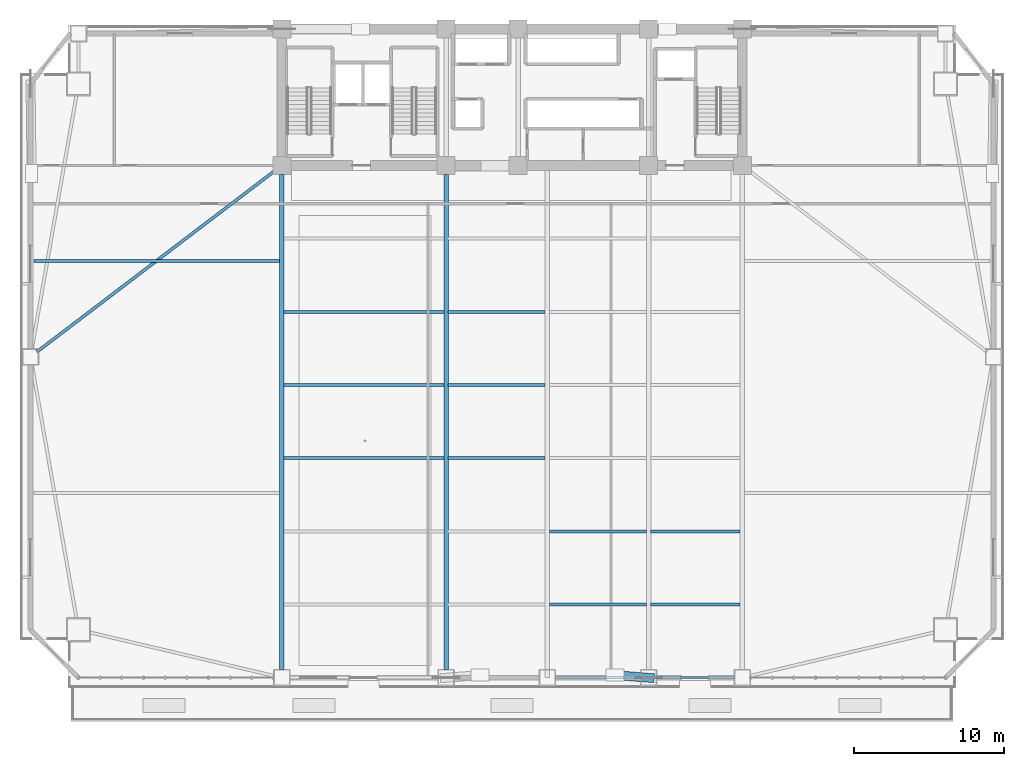
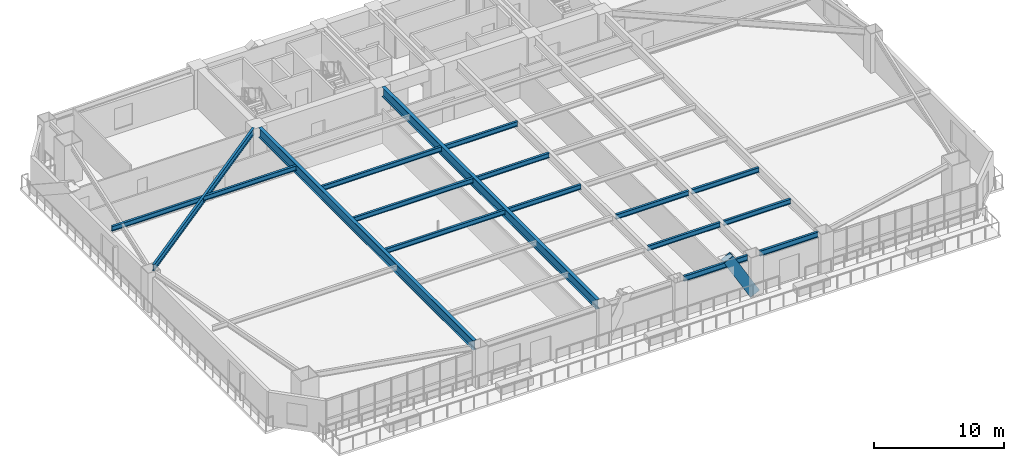
# One storey, part 5 of 17: 16 beams, 1 member.
"""IFC4 building model written with IfcOpenShell, lengths in metres."""

from ifc_helpers import new_model, si_unit, direction, frame, origin, origin_2d, place, context, subcontext, project, spatial, hollow_rectangle, i_section, extrude, source, transform, mapped, material, material_profile, profile_set, type_object, element, save


model = new_model("IFC4")

# Units and contexts
model_context = context("Model", 3, precision=1e-05, world=origin(), true_north=direction((0.0, 1.0)))
body_context = subcontext(model_context, "Body", "Model", "MODEL_VIEW")
ifc_project = project(units=[si_unit("LENGTHUNIT", "METRE"), si_unit("AREAUNIT", "SQUARE_METRE"), si_unit("VOLUMEUNIT", "CUBIC_METRE"), si_unit("PLANEANGLEUNIT", "RADIAN"), si_unit("MASSUNIT", "GRAM", prefix="KILO")], contexts=[model_context])

# Site, building, storey
site_placement = place(None, origin())
site = spatial("IfcSite", under=ifc_project, at=site_placement, CompositionType="ELEMENT")
building_placement = place(site_placement, origin())
building = spatial("IfcBuilding", under=site, at=building_placement, Name="Giltprow Tower", CompositionType="ELEMENT")
storey_placement = place(building_placement, frame((0.0, 0.0, 25.39990234375)))
storey = spatial("IfcBuildingStorey", under=building, at=storey_placement, Name="L06", CompositionType="ELEMENT", Elevation=25.39990234375)

# Beams
ifc_material_1 = material(Name="Structural steel Q355B", Category="steel")
ifc_material_profile_1 = material_profile(ifc_material_1, i_section(OverallWidth=0.199951171875, OverallDepth=0.5, WebThickness=0.010009765625, FlangeThickness=0.01611328125, at=origin_2d()), Name="HN 500x200x10x16")
ifc_profile_set_1 = profile_set([ifc_material_profile_1], Name="Structural steel Q355B")
beam_type_1 = type_object("IfcBeamType", Name="BM-SPAN-HN500", PredefinedType="SPANDREL", material=ifc_profile_set_1)
shared_shape_1 = source(origin(), body_context, "Body", "SweptSolid", [
    extrude(i_section(OverallWidth=0.199951171875, OverallDepth=0.5, WebThickness=0.010009765625, FlangeThickness=0.01611328125, at=origin_2d()), origin(), (0.0, 0.0, 1.0), 5.679931640625),
])
beam_1_placement = place(storey_placement, frame((38.0849609375, 3.300048828125, 3.43017578125), z_axis=(1.0, 0.0, 0.0), x_axis=(0.0, 1.0, 0.0)))
element("IfcBeam", 1, at=beam_1_placement, inside=storey, type_object=beam_type_1, Name="L06 Perimeter Spandrel Beam S_MID-S3", PredefinedType="SPANDREL", context=body_context, shape_type="MappedRepresentation", body=[
    mapped(shared_shape_1, transform((0.0, 0.0, 0.0), x_axis=(1.0, 0.0, 0.0), y_axis=(0.0, 1.0, 0.0), z_axis=(0.0, 0.0, 1.0), scale=1.0)),
])
shared_shape_2 = source(origin(), body_context, "Body", "SweptSolid", [
    extrude(i_section(OverallWidth=0.199951171875, OverallDepth=0.5, WebThickness=0.010009765625, FlangeThickness=0.01611328125, at=origin_2d()), origin(), (0.0, 0.0, 1.0), 5.179931640625),
])
beam_2_placement = place(storey_placement, frame((44.8349609375, 3.300048828125, 3.43017578125), z_axis=(1.0, 0.0, 0.0), x_axis=(0.0, 1.0, 0.0)))
element("IfcBeam", 2, at=beam_2_placement, inside=storey, type_object=beam_type_1, Name="L06 Perimeter Spandrel Beam S3-S4", PredefinedType="SPANDREL", context=body_context, shape_type="MappedRepresentation", body=[
    mapped(shared_shape_2, transform((0.0, 0.0, 0.0), x_axis=(1.0, 0.0, 0.0), y_axis=(0.0, 1.0, 0.0), z_axis=(0.0, 0.0, 1.0), scale=1.0)),
])
ifc_material_profile_2 = material_profile(ifc_material_1, i_section(OverallWidth=0.300048828125, OverallDepth=0.89990234375, WebThickness=0.01611328125, FlangeThickness=0.028076171875, at=origin_2d()), Name="HN 900x300x16x28")
ifc_profile_set_2 = profile_set([ifc_material_profile_2], Name="Structural steel Q355B")
beam_type_2 = type_object("IfcBeamType", Name="BM-GIRD-HN900", PredefinedType="BEAM", material=ifc_profile_set_2)
shared_shape_3 = source(origin(), body_context, "Body", "SweptSolid", [
    extrude(i_section(OverallWidth=0.300048828125, OverallDepth=0.89990234375, WebThickness=0.01611328125, FlangeThickness=0.028076171875, at=origin_2d()), origin(), (0.0, 0.0, 1.0), 33.030029296875),
])
for number, where, z_axis, x_axis, name in (
    (3, (19.85009765625, 3.8349609375, 3.22998046875), (0.0, 1.0, 0.0), (-1.0, 0.0, 0.0), "L06 Primary Lease Girder S1"),
    (4, (30.800048828125, 3.8349609375, 3.22998046875), (0.0, 1.0, 0.0), (-1.0, 0.0, 0.0), "L06 Primary Lease Girder S2"),
):
    element("IfcBeam", number, at=place(storey_placement, frame(where, z_axis=z_axis, x_axis=x_axis)), inside=storey, type_object=beam_type_2, Name=name, PredefinedType="BEAM", context=body_context, shape_type="MappedRepresentation", body=[
        mapped(shared_shape_3, transform((0.0, 0.0, 0.0), x_axis=(1.0, 0.0, 0.0), y_axis=(0.0, 1.0, 0.0), z_axis=(0.0, 0.0, 1.0), scale=1.0)),
    ])
ifc_material_profile_3 = material_profile(ifc_material_1, i_section(OverallWidth=0.199951171875, OverallDepth=0.60009765625, WebThickness=0.010986328125, FlangeThickness=0.01708984375, at=origin_2d()), Name="HN 600x200x11x17")
ifc_profile_set_3 = profile_set([ifc_material_profile_3], Name="Structural steel Q355B")
beam_type_3 = type_object("IfcBeamType", Name="BM-GIRD-HN600", PredefinedType="BEAM", material=ifc_profile_set_3)
shared_shape_4 = source(origin(), body_context, "Body", "SweptSolid", [
    extrude(i_section(OverallWidth=0.199951171875, OverallDepth=0.60009765625, WebThickness=0.010986328125, FlangeThickness=0.01708984375, at=origin_2d()), origin(), (0.0, 0.0, 1.0), 19.930908203125),
])
beam_3_placement = place(storey_placement, frame((3.52587890625, 25.02392578125, 3.380126953125), z_axis=(0.795700739064, 0.605689965124, 0.0), x_axis=(-0.605689965124, 0.795700739064, 0.0)))
element("IfcBeam", 5, at=beam_3_placement, inside=storey, type_object=beam_type_3, Name="L06 West Wing Primary Girder", PredefinedType="BEAM", context=body_context, shape_type="MappedRepresentation", body=[
    mapped(shared_shape_4, transform((0.0, 0.0, 0.0), x_axis=(1.0, 0.0, 0.0), y_axis=(0.0, 1.0, 0.0), z_axis=(0.0, 0.0, 1.0), scale=1.0)),
])
ifc_material_profile_4 = material_profile(ifc_material_1, i_section(OverallWidth=0.199951171875, OverallDepth=0.449951171875, WebThickness=0.009033203125, FlangeThickness=0.013916015625, at=origin_2d()), Name="HN 450x200x9x14")
ifc_profile_set_4 = profile_set([ifc_material_profile_4], Name="Structural steel Q355B")
beam_type_4 = type_object("IfcBeamType", Name="BM-JOIST-HN450", PredefinedType="JOIST", material=ifc_profile_set_4)
shared_shape_5 = source(origin(), body_context, "Body", "SweptSolid", [
    extrude(i_section(OverallWidth=0.199951171875, OverallDepth=0.449951171875, WebThickness=0.009033203125, FlangeThickness=0.013916015625, at=origin_2d()), origin(), (0.0, 0.0, 1.0), 10.659912109375),
])
for number, where, z_axis, x_axis, name in (
    (6, (19.9951171875, 17.93603515625, 3.455078125), (1.0, 0.0, 0.0), (0.0, 1.0, 0.0), "L06 Composite Floor Joist 3-1"),
    (7, (19.9951171875, 22.81396484375, 3.455078125), (1.0, 0.0, 0.0), (0.0, 1.0, 0.0), "L06 Composite Floor Joist 4-1"),
    (8, (19.9951171875, 27.693115234375, 3.455078125), (1.0, 0.0, 0.0), (0.0, 1.0, 0.0), "L06 Composite Floor Joist 5-1"),
):
    element("IfcBeam", number, at=place(storey_placement, frame(where, z_axis=z_axis, x_axis=x_axis)), inside=storey, type_object=beam_type_4, Name=name, PredefinedType="JOIST", context=body_context, shape_type="MappedRepresentation", body=[
        mapped(shared_shape_5, transform((0.0, 0.0, 0.0), x_axis=(1.0, 0.0, 0.0), y_axis=(0.0, 1.0, 0.0), z_axis=(0.0, 0.0, 1.0), scale=1.0)),
    ])
shared_shape_6 = source(origin(), body_context, "Body", "SweptSolid", [
    extrude(i_section(OverallWidth=0.199951171875, OverallDepth=0.449951171875, WebThickness=0.009033203125, FlangeThickness=0.013916015625, at=origin_2d()), origin(), (0.0, 0.0, 1.0), 6.4599609375),
])
for number, where, z_axis, x_axis, name in (
    (9, (37.695068359375, 8.178955078125, 3.455078125), (1.0, 0.0, 0.0), (0.0, 1.0, 0.0), "L06 Composite Floor Joist 1-3"),
    (10, (37.695068359375, 13.056884765625, 3.455078125), (1.0, 0.0, 0.0), (0.0, 1.0, 0.0), "L06 Composite Floor Joist 2-3"),
    (11, (30.945068359375, 17.93603515625, 3.455078125), (1.0, 0.0, 0.0), (0.0, 1.0, 0.0), "L06 Composite Floor Joist 3-2"),
    (12, (30.945068359375, 22.81396484375, 3.455078125), (1.0, 0.0, 0.0), (0.0, 1.0, 0.0), "L06 Composite Floor Joist 4-2"),
    (13, (30.945068359375, 27.693115234375, 3.455078125), (1.0, 0.0, 0.0), (0.0, 1.0, 0.0), "L06 Composite Floor Joist 5-2"),
):
    element("IfcBeam", number, at=place(storey_placement, frame(where, z_axis=z_axis, x_axis=x_axis)), inside=storey, type_object=beam_type_4, Name=name, PredefinedType="JOIST", context=body_context, shape_type="MappedRepresentation", body=[
        mapped(shared_shape_6, transform((0.0, 0.0, 0.0), x_axis=(1.0, 0.0, 0.0), y_axis=(0.0, 1.0, 0.0), z_axis=(0.0, 0.0, 1.0), scale=1.0)),
    ])
shared_shape_7 = source(origin(), body_context, "Body", "SweptSolid", [
    extrude(i_section(OverallWidth=0.199951171875, OverallDepth=0.449951171875, WebThickness=0.009033203125, FlangeThickness=0.013916015625, at=origin_2d()), origin(), (0.0, 0.0, 1.0), 5.9599609375),
])
for number, where, z_axis, x_axis, name in (
    (14, (44.445068359375, 8.178955078125, 3.455078125), (1.0, 0.0, 0.0), (0.0, 1.0, 0.0), "L06 Composite Floor Joist 1-4"),
    (15, (44.445068359375, 13.056884765625, 3.455078125), (1.0, 0.0, 0.0), (0.0, 1.0, 0.0), "L06 Composite Floor Joist 2-4"),
):
    element("IfcBeam", number, at=place(storey_placement, frame(where, z_axis=z_axis, x_axis=x_axis)), inside=storey, type_object=beam_type_4, Name=name, PredefinedType="JOIST", context=body_context, shape_type="MappedRepresentation", body=[
        mapped(shared_shape_7, transform((0.0, 0.0, 0.0), x_axis=(1.0, 0.0, 0.0), y_axis=(0.0, 1.0, 0.0), z_axis=(0.0, 0.0, 1.0), scale=1.0)),
    ])
shared_shape_8 = source(origin(), body_context, "Body", "SweptSolid", [
    extrude(i_section(OverallWidth=0.199951171875, OverallDepth=0.449951171875, WebThickness=0.009033203125, FlangeThickness=0.013916015625, at=origin_2d()), origin(), (0.0, 0.0, 1.0), 16.385009765625),
])
beam_4_placement = place(storey_placement, frame((3.320068359375, 31.074951171875, 3.455078125), z_axis=(1.0, 0.0, 0.0), x_axis=(0.0, 1.0, 0.0)))
element("IfcBeam", 16, at=beam_4_placement, inside=storey, type_object=beam_type_4, Name="L06 West Wing Floor Joist 2", PredefinedType="JOIST", context=body_context, shape_type="MappedRepresentation", body=[
    mapped(shared_shape_8, transform((0.0, 0.0, 0.0), x_axis=(1.0, 0.0, 0.0), y_axis=(0.0, 1.0, 0.0), z_axis=(0.0, 0.0, 1.0), scale=1.0)),
])

# Member
ifc_material_2 = material(Name="Structural steel Q420GJC", Category="steel")
ifc_material_profile_5 = material_profile(ifc_material_2, hollow_rectangle(XDim=0.60009765625, YDim=0.89990234375, WallThickness=0.0400390625, at=origin_2d()), Name="RHS 900x600x40")
ifc_profile_set_5 = profile_set([ifc_material_profile_5], Name="Structural steel Q420GJC")
member_type = type_object("IfcMemberType", Name="MBR-MEGA-RHS900", PredefinedType="BRACE", material=ifc_profile_set_5)
shared_shape_9 = source(origin(), body_context, "Body", "SweptSolid", [
    extrude(hollow_rectangle(XDim=0.60009765625, YDim=0.89990234375, WallThickness=0.0400390625, at=origin_2d()), origin(), (0.0, 0.0, 1.0), 4.506103515625),
])
member_placement = place(storey_placement, frame((44.300048828125, 3.300048828125, 0.0), z_axis=(-0.499326947397, 0.039064098207, 0.865532550419), x_axis=(-0.077995186993, -0.996953735539, 0.0)))
element("IfcMember", 17, at=member_placement, inside=storey, type_object=member_type, Name="L06 Chevron Mega-Brace S-R", PredefinedType="BRACE", context=body_context, shape_type="MappedRepresentation", body=[
    mapped(shared_shape_9, transform((0.0, 0.0, 0.0), x_axis=(1.0, 0.0, 0.0), y_axis=(0.0, 1.0, 0.0), z_axis=(0.0, 0.0, 1.0), scale=1.0)),
])

save(model, "model.ifc")
